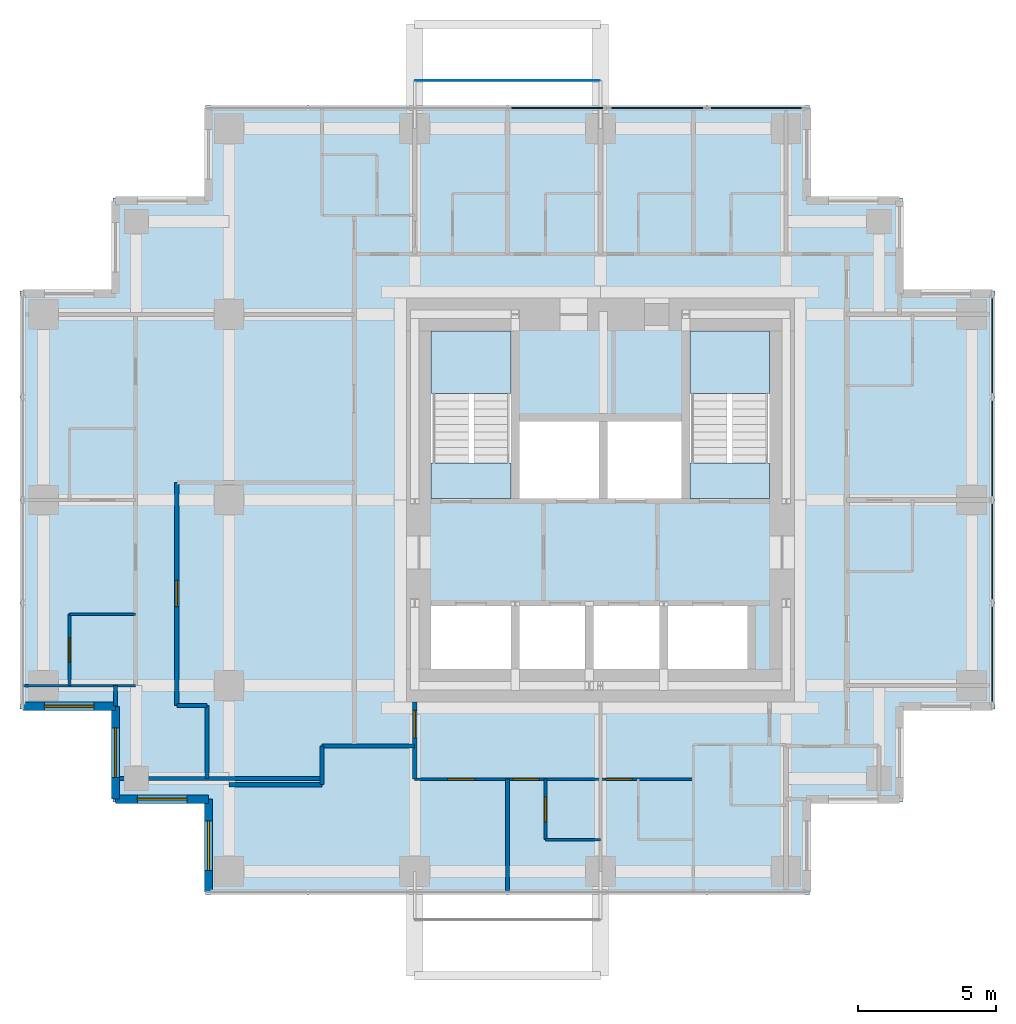
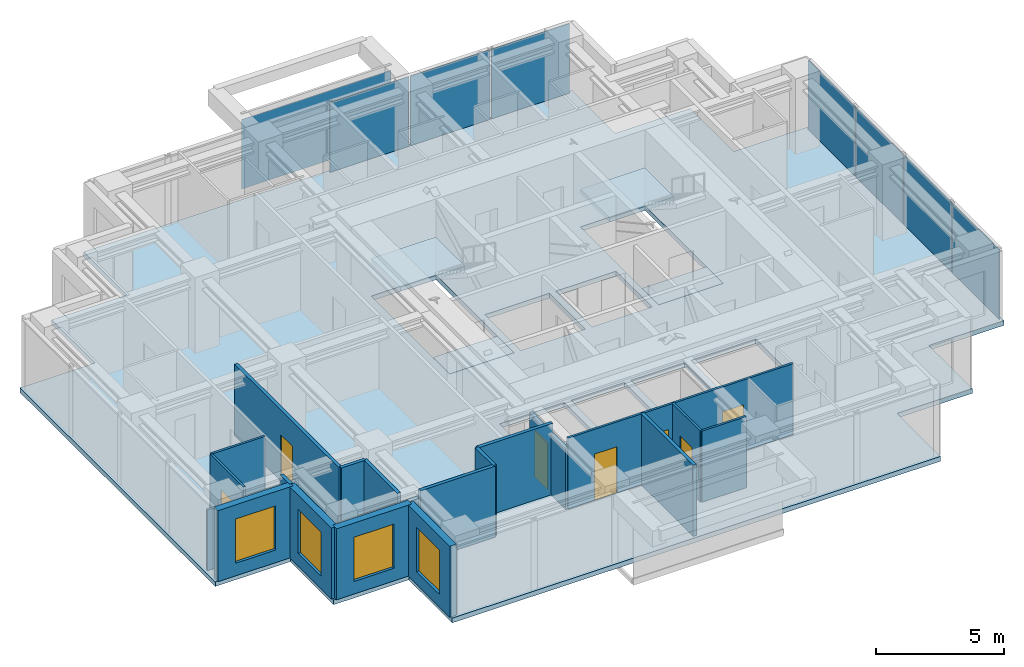
# One storey, part 3 of 8: 20 walls, 8 plates, 7 doors, 5 slabs, 4 windows, 11 openings, 4 elements without a shape of their own.
"""IFC4 building model written with IfcOpenShell, lengths in metres."""

from ifc_helpers import new_model, si_unit, direction, frame, frame_2d, origin, origin_2d, place, context, subcontext, project, spatial, polyline, rectangle, outline, extrude, material, layer, layer_set, type_object, element, fill, aggregate, save


model = new_model("IFC4")

# Units and contexts
model_context = context("Model", 3, precision=1e-05, world=origin(), true_north=direction((0.0, 1.0)))
body_context = subcontext(model_context, "Body", "Model", "MODEL_VIEW")
ifc_project = project(units=[si_unit("LENGTHUNIT", "METRE"), si_unit("AREAUNIT", "SQUARE_METRE"), si_unit("VOLUMEUNIT", "CUBIC_METRE"), si_unit("PLANEANGLEUNIT", "RADIAN"), si_unit("MASSUNIT", "GRAM", prefix="KILO")], contexts=[model_context])

# Site, building, storey
site_placement = place(None, origin())
site = spatial("IfcSite", under=ifc_project, at=site_placement, CompositionType="ELEMENT")
building_placement = place(site_placement, origin())
building = spatial("IfcBuilding", under=site, at=building_placement, Name="Nyansa Garden Tower", CompositionType="ELEMENT")
storey_placement = place(building_placement, frame((0.0, 0.0, 222.300048828125)))
storey = spatial("IfcBuildingStorey", under=building, at=storey_placement, Name="L60", CompositionType="ELEMENT", Elevation=222.300048828125)

# Curtain wall, plates
ifc_material_1 = material(Name="Black anodised aluminium, dark tinted double glazing", Category="aluminium")
curtain_wall_type = type_object("IfcCurtainWallType", Name="Inner skin curtain wall ISW-D", PredefinedType="USERDEFINED", material=ifc_material_1)
curtain_wall_1_placement = place(storey_placement, origin())
curtain_wall_1 = element("IfcCurtainWall", 1, at=curtain_wall_1_placement, inside=storey, type_object=curtain_wall_type, Name="Inner skin curtain wall L60 E", ObjectType="UNITISED CURTAIN WALL", PredefinedType="USERDEFINED")
ifc_material_2 = material(Name="Dark tinted laminated double glazing", Category="glass")
ifc_layer_1 = layer(ifc_material_2, 0.0439453125)
ifc_layer_set_1 = layer_set([ifc_layer_1], Name="Dark tinted vision panel VP-D")
plate_type_1 = type_object("IfcPlateType", Name="Dark tinted vision panel VP-D", PredefinedType="CURTAIN_PANEL", material=ifc_layer_set_1)
plate_1_placement = place(storey_placement, frame((34.5, 14.642578125, 0.0), z_axis=(0.0, 0.0, 1.0), x_axis=(0.0, 1.0, 0.0)))
plate_1 = element("IfcPlate", 2, at=plate_1_placement, type_object=plate_type_1, Name="ISW-D panel 1", PredefinedType="CURTAIN_PANEL", context=body_context, shape_type="SweptSolid", body=[
    extrude(rectangle(XDim=3.64501953125, YDim=0.0439453125, at=origin_2d()), origin(), (0.0, 0.0, 1.0), 3.304931640625),
])
plate_2_placement = place(storey_placement, frame((34.5, 18.375, 0.0), z_axis=(0.0, 0.0, 1.0), x_axis=(0.0, 1.0, 0.0)))
plate_2 = element("IfcPlate", 3, at=plate_2_placement, type_object=plate_type_1, Name="ISW-D panel 2", PredefinedType="CURTAIN_PANEL", context=body_context, shape_type="SweptSolid", body=[
    extrude(rectangle(XDim=3.679931640625, YDim=0.0439453125, at=origin_2d()), origin(), (0.0, 0.0, 1.0), 3.304931640625),
])
plate_3_placement = place(storey_placement, frame((34.5, 22.125, 0.0), z_axis=(0.0, 0.0, 1.0), x_axis=(0.0, 1.0, 0.0)))
plate_3 = element("IfcPlate", 4, at=plate_3_placement, type_object=plate_type_1, Name="ISW-D panel 3", PredefinedType="CURTAIN_PANEL", context=body_context, shape_type="SweptSolid", body=[
    extrude(rectangle(XDim=3.679931640625, YDim=0.0439453125, at=origin_2d()), origin(), (0.0, 0.0, 1.0), 3.304931640625),
])
plate_4_placement = place(storey_placement, frame((34.5, 25.857421875, 0.0), z_axis=(0.0, 0.0, 1.0), x_axis=(0.0, 1.0, 0.0)))
plate_4 = element("IfcPlate", 5, at=plate_4_placement, type_object=plate_type_1, Name="ISW-D panel 4", PredefinedType="CURTAIN_PANEL", context=body_context, shape_type="SweptSolid", body=[
    extrude(rectangle(XDim=3.64501953125, YDim=0.0439453125, at=origin_2d()), origin(), (0.0, 0.0, 1.0), 3.304931640625),
])
aggregate(curtain_wall_1, [plate_1, plate_2, plate_3, plate_4])

curtain_wall_2_placement = place(storey_placement, origin())
curtain_wall_2 = element("IfcCurtainWall", 6, at=curtain_wall_2_placement, inside=storey, type_object=curtain_wall_type, Name="Inner skin curtain wall L60 N", ObjectType="UNITISED CURTAIN WALL", PredefinedType="USERDEFINED")
plate_5_placement = place(storey_placement, frame((25.919921875, 34.5, 0.0), z_axis=(0.0, 0.0, 1.0), x_axis=(-1.0, 0.0, 0.0)))
plate_5 = element("IfcPlate", 7, at=plate_5_placement, type_object=plate_type_1, Name="ISW-D panel 1", PredefinedType="CURTAIN_PANEL", context=body_context, shape_type="SweptSolid", body=[
    extrude(rectangle(XDim=3.52001953125, YDim=0.0439453125, at=origin_2d()), origin(), (0.0, 0.0, 1.0), 3.304931640625),
])
plate_6_placement = place(storey_placement, frame((22.3125, 34.5, 0.0), z_axis=(0.0, 0.0, 1.0), x_axis=(-1.0, 0.0, 0.0)))
plate_6 = element("IfcPlate", 8, at=plate_6_placement, type_object=plate_type_1, Name="ISW-D panel 2", PredefinedType="CURTAIN_PANEL", context=body_context, shape_type="SweptSolid", body=[
    extrude(rectangle(XDim=3.554931640625, YDim=0.0439453125, at=origin_2d()), origin(), (0.0, 0.0, 1.0), 3.304931640625),
])
plate_7_placement = place(storey_placement, frame((18.6875, 34.5, 0.0), z_axis=(0.0, 0.0, 1.0), x_axis=(-1.0, 0.0, 0.0)))
plate_7 = element("IfcPlate", 9, at=plate_7_placement, type_object=plate_type_1, Name="ISW-D panel 3", PredefinedType="CURTAIN_PANEL", context=body_context, shape_type="SweptSolid", body=[
    extrude(rectangle(XDim=3.554931640625, YDim=0.0439453125, at=origin_2d()), origin(), (0.0, 0.0, 1.0), 3.304931640625),
])
aggregate(curtain_wall_2, [plate_5, plate_6, plate_7])

# Slab
ifc_material_3 = material(Name="Concrete C40/50", Category="concrete")
ifc_layer_2 = layer(ifc_material_3, 0.22509765625)
ifc_layer_set_2 = layer_set([ifc_layer_2], Name="Floor slab FS225")
slab_type_1 = type_object("IfcSlabType", Name="Floor slab FS225", PredefinedType="FLOOR", material=ifc_layer_set_2)
slab_1_placement = place(storey_placement, frame((0.0, 0.0, -0.22509765625)))
element("IfcSlab", 10, at=slab_1_placement, inside=storey, type_object=slab_type_1, Name="Floor slab L60", PredefinedType="FLOOR", context=body_context, shape_type="SweptSolid", body=[
    extrude(outline(polyline([(34.60009765625, 12.64990234375), (31.22509765625, 12.64990234375), (31.22509765625, 9.27490234375), (27.85009765625, 9.27490234375), (27.85009765625, 5.89990234375), (5.89990234375, 5.89990234375), (5.89990234375, 9.27490234375), (2.52490234375, 9.27490234375), (2.52490234375, 12.64990234375), (-0.85009765625, 12.64990234375), (-0.85009765625, 27.85009765625), (2.52490234375, 27.85009765625), (2.52490234375, 31.22509765625), (5.89990234375, 31.22509765625), (5.89990234375, 34.60009765625), (27.85009765625, 34.60009765625), (27.85009765625, 31.22509765625), (31.22509765625, 31.22509765625), (31.22509765625, 27.85009765625), (34.60009765625, 27.85009765625), (34.60009765625, 12.64990234375)]), holes=[polyline([(14.10009765625, 14.10009765625), (17.0, 14.10009765625), (17.0, 16.39990234375), (14.10009765625, 16.39990234375), (14.10009765625, 14.10009765625)]), polyline([(17.300048828125, 14.10009765625), (19.699951171875, 14.10009765625), (19.699951171875, 16.39990234375), (17.300048828125, 16.39990234375), (17.300048828125, 14.10009765625)]), polyline([(20.0, 14.10009765625), (22.39990234375, 14.10009765625), (22.39990234375, 16.39990234375), (20.0, 16.39990234375), (20.0, 14.10009765625)]), polyline([(22.699951171875, 14.10009765625), (25.60009765625, 14.10009765625), (25.60009765625, 16.39990234375), (22.699951171875, 16.39990234375), (22.699951171875, 14.10009765625)]), polyline([(17.300048828125, 20.300048828125), (20.199951171875, 20.300048828125), (20.199951171875, 23.10009765625), (17.300048828125, 23.10009765625), (17.300048828125, 20.300048828125)]), polyline([(20.5, 20.300048828125), (23.199951171875, 20.300048828125), (23.199951171875, 23.10009765625), (20.5, 23.10009765625), (20.5, 20.300048828125)]), polyline([(14.10009765625, 20.300048828125), (17.0, 20.300048828125), (17.0, 26.39990234375), (14.10009765625, 26.39990234375), (14.10009765625, 20.300048828125)]), polyline([(23.5, 20.300048828125), (26.39990234375, 20.300048828125), (26.39990234375, 26.39990234375), (23.5, 26.39990234375), (23.5, 20.300048828125)])]), origin(), (0.0, 0.0, 1.0), 0.22509765625),
])

# Plate
ifc_material_4 = material(Name="Dark tinted laminated glass", Category="glass")
ifc_layer_3 = layer(ifc_material_4, 0.02392578125)
ifc_layer_set_3 = layer_set([ifc_layer_3], Name="Outer skin glass panel OS1")
plate_type_2 = type_object("IfcPlateType", Name="Outer skin glass panel OS1", PredefinedType="USERDEFINED", material=ifc_layer_set_3)
plate_8_placement = place(storey_placement, frame((16.875, 35.5, -0.22509765625), z_axis=(0.0, 0.0, 1.0), x_axis=(1.0, 0.0, 0.0)))
element("IfcPlate", 11, at=plate_8_placement, inside=storey, type_object=plate_type_2, Name="Outer skin glass panel L60", ObjectType="OUTER SKIN GLASS", PredefinedType="USERDEFINED", context=body_context, shape_type="SweptSolid", body=[
    extrude(rectangle(XDim=6.7099609375, YDim=0.02392578125, at=origin_2d()), origin(), (0.0, 0.0, 1.0), 3.300048828125),
])

# Stair, slabs
ifc_material_5 = material(Name="Precast concrete C40/50", Category="concrete")
stair_type_1 = type_object("IfcStairType", Name="Stair S1 180x280", PredefinedType="HALF_TURN_STAIR", material=ifc_material_5)
stair_1_placement = place(storey_placement, origin())
stair_1 = element("IfcStair", 12, at=stair_1_placement, inside=storey, type_object=stair_type_1, Name="Stair S1 L60", PredefinedType="HALF_TURN_STAIR")
ifc_material_6 = material(Name="Concrete C40/50", Category="concrete")
ifc_layer_4 = layer(ifc_material_6, 0.199951171875)
ifc_layer_set_4 = layer_set([ifc_layer_4], Name="Stair landing SL200")
slab_type_2 = type_object("IfcSlabType", Name="Stair landing SL200", PredefinedType="LANDING", material=ifc_layer_set_4)
slab_2_placement = place(storey_placement, frame((0.0, 0.0, -0.199951171875)))
slab_2 = element("IfcSlab", 13, at=slab_2_placement, type_object=slab_type_2, Name="S1 landing 1", PredefinedType="LANDING", context=body_context, shape_type="SweptSolid", body=[
    extrude(outline(polyline([(14.10009765625, 20.300048828125), (17.0, 20.300048828125), (17.0, 21.60009765625), (14.10009765625, 21.60009765625), (14.10009765625, 20.300048828125)])), origin(), (0.0, 0.0, 1.0), 0.199951171875),
])
slab_3_placement = place(storey_placement, frame((0.0, 0.0, 1.599853515625)))
slab_3 = element("IfcSlab", 14, at=slab_3_placement, type_object=slab_type_2, Name="S1 landing 2", PredefinedType="LANDING", context=body_context, shape_type="SweptSolid", body=[
    extrude(outline(polyline([(14.10009765625, 24.1201171875), (17.0, 24.1201171875), (17.0, 26.39990234375), (14.10009765625, 26.39990234375), (14.10009765625, 24.1201171875)])), origin(), (0.0, 0.0, 1.0), 0.2001953125),
])
aggregate(stair_1, [slab_2, slab_3])

ifc_material_7 = material(Name="Precast concrete C40/50", Category="concrete")
stair_type_2 = type_object("IfcStairType", Name="Stair S2 180x280", PredefinedType="HALF_TURN_STAIR", material=ifc_material_7)
stair_2_placement = place(storey_placement, origin())
stair_2 = element("IfcStair", 15, at=stair_2_placement, inside=storey, type_object=stair_type_2, Name="Stair S2 L60", PredefinedType="HALF_TURN_STAIR")
slab_4_placement = place(storey_placement, frame((0.0, 0.0, -0.199951171875)))
slab_4 = element("IfcSlab", 16, at=slab_4_placement, type_object=slab_type_2, Name="S2 landing 1", PredefinedType="LANDING", context=body_context, shape_type="SweptSolid", body=[
    extrude(outline(polyline([(23.5, 20.300048828125), (26.39990234375, 20.300048828125), (26.39990234375, 21.60009765625), (23.5, 21.60009765625), (23.5, 20.300048828125)])), origin(), (0.0, 0.0, 1.0), 0.199951171875),
])
slab_5_placement = place(storey_placement, frame((0.0, 0.0, 1.599853515625)))
slab_5 = element("IfcSlab", 17, at=slab_5_placement, type_object=slab_type_2, Name="S2 landing 2", PredefinedType="LANDING", context=body_context, shape_type="SweptSolid", body=[
    extrude(outline(polyline([(23.5, 24.1201171875), (26.39990234375, 24.1201171875), (26.39990234375, 26.39990234375), (23.5, 26.39990234375), (23.5, 24.1201171875)])), origin(), (0.0, 0.0, 1.0), 0.2001953125),
])
aggregate(stair_2, [slab_4, slab_5])

# Walls
ifc_material_8 = material(Name="Blockwork, plastered both sides", Category="masonry")
ifc_layer_5 = layer(ifc_material_8, 0.14990234375)
ifc_layer_set_5 = layer_set([ifc_layer_5], Name="Partition PW150")
wall_type_1 = type_object("IfcWallType", Name="Partition PW150", PredefinedType="PARTITIONING", material=ifc_layer_set_5)
wall_1_placement = place(storey_placement, frame((2.625, 12.76611328125, 0.0), z_axis=(0.0, 0.0, 1.0), x_axis=(0.0, 1.0, 0.0)))
element("IfcWall", 18, at=wall_1_placement, inside=storey, type_object=wall_type_1, Name="Partition", PredefinedType="PARTITIONING", context=body_context, shape_type="SweptSolid", body=[
    extrude(rectangle(XDim=0.73388671875, YDim=0.14990234375, at=frame_2d((0.366943359375, 0.0))), origin(), (0.0, 0.0, 1.0), 3.375),
])
wall_2_placement = place(storey_placement, frame((2.77490234375, 10.125, 0.0), z_axis=(0.0, 0.0, 1.0), x_axis=(1.0, 0.0, 0.0)))
element("IfcWall", 19, at=wall_2_placement, inside=storey, type_object=wall_type_1, Name="Partition", PredefinedType="PARTITIONING", context=body_context, shape_type="SweptSolid", body=[
    extrude(rectangle(XDim=7.35009765625, YDim=0.14990234375, at=frame_2d((3.675048828125, 0.0))), origin(), (0.0, 0.0, 1.0), 2.876953125),
])

# Wall, opening, door
wall_3_placement = place(storey_placement, frame((4.85009765625, 12.77490234375, 0.0), z_axis=(0.0, 0.0, 1.0), x_axis=(0.0, 1.0, 0.0)))
wall_3 = element("IfcWall", 20, at=wall_3_placement, inside=storey, type_object=wall_type_1, Name="Partition", PredefinedType="PARTITIONING", context=body_context, shape_type="SweptSolid", body=[
    extrude(rectangle(XDim=8.112548828125, YDim=0.14990234375, at=frame_2d((4.05615234375, 0.0))), origin(), (0.0, 0.0, 1.0), 3.375),
])
opening_1_placement = place(wall_3_placement, frame((3.60009765625, 0.0, 0.0)))
opening_1 = element("IfcOpeningElement", 21, at=opening_1_placement, cuts=wall_3, Name="Opening D01", PredefinedType="OPENING", context=body_context, shape_type="SweptSolid", body=[
    extrude(rectangle(XDim=0.949951171875, YDim=2.199951171875, at=frame_2d((0.47509765625, 1.10009765625))), frame((0.0, 0.0849609375, 0.0), z_axis=(0.0, -1.0, 0.0), x_axis=(1.0, 0.0, 0.0)), (0.0, 0.0, 1.0), 0.169921875),
])
ifc_material_9 = material(Name="Timber flush door, 30 minute fire resisting", Category="wood")
door_type_1 = type_object("IfcDoorType", Name="Bedroom door D01 950x2200", OperationType="SINGLE_SWING_LEFT", PredefinedType="DOOR", material=ifc_material_9)
door_1_placement = place(opening_1_placement, origin())
door_1 = element("IfcDoor", 22, at=door_1_placement, inside=storey, type_object=door_type_1, Name="Door L60-050", OperationType="SINGLE_SWING_LEFT", OverallHeight=2.199951171875, OverallWidth=0.949951171875, PredefinedType="DOOR", context=body_context, shape_type="SweptSolid", body=[
    extrude(rectangle(XDim=0.949951171875, YDim=2.199951171875, at=frame_2d((0.47509765625, 1.10009765625))), frame((0.0, 0.02490234375, 0.0), z_axis=(0.0, -1.0, 0.0), x_axis=(1.0, 0.0, 0.0)), (0.0, 0.0, 1.0), 0.050048828125),
])
fill(opening_1, door_1)

# Walls
wall_4_placement = place(storey_placement, frame((4.85009765625, 12.77490234375, 0.0), z_axis=(0.0, 0.0, 1.0), x_axis=(1.0, 0.0, 0.0)))
element("IfcWall", 23, at=wall_4_placement, inside=storey, type_object=wall_type_1, Name="Partition", PredefinedType="PARTITIONING", context=body_context, shape_type="SweptSolid", body=[
    extrude(rectangle(XDim=1.099853515625, YDim=0.14990234375, at=frame_2d((0.5498046875, 0.0))), origin(), (0.0, 0.0, 1.0), 3.375),
])
wall_5_placement = place(storey_placement, frame((5.949951171875, 10.125, 0.0), z_axis=(0.0, 0.0, 1.0), x_axis=(0.0, 1.0, 0.0)))
element("IfcWall", 24, at=wall_5_placement, inside=storey, type_object=wall_type_1, Name="Partition", PredefinedType="PARTITIONING", context=body_context, shape_type="SweptSolid", body=[
    extrude(rectangle(XDim=2.64990234375, YDim=0.14990234375, at=frame_2d((1.324951171875, 0.0))), origin(), (0.0, 0.0, 1.0), 3.375),
])
wall_6_placement = place(storey_placement, frame((6.75, 9.89990234375, 0.0), z_axis=(0.0, 0.0, 1.0), x_axis=(1.0, 0.0, 0.0)))
element("IfcWall", 25, at=wall_6_placement, inside=storey, type_object=wall_type_1, Name="Partition", PredefinedType="PARTITIONING", context=body_context, shape_type="SweptSolid", body=[
    extrude(rectangle(XDim=3.375, YDim=0.14990234375, at=frame_2d((1.6875, 0.0))), origin(), (0.0, 0.0, 1.0), 3.375),
])
wall_7_placement = place(storey_placement, frame((10.125, 9.89990234375, 0.0), z_axis=(0.0, 0.0, 1.0), x_axis=(0.0, 1.0, 0.0)))
element("IfcWall", 26, at=wall_7_placement, inside=storey, type_object=wall_type_1, Name="Partition", PredefinedType="PARTITIONING", context=body_context, shape_type="SweptSolid", body=[
    extrude(rectangle(XDim=1.400146484375, YDim=0.14990234375, at=frame_2d((0.7001953125, 0.0))), origin(), (0.0, 0.0, 1.0), 3.375),
])
wall_8_placement = place(storey_placement, frame((10.125, 11.300048828125, 0.0), z_axis=(0.0, 0.0, 1.0), x_axis=(1.0, 0.0, 0.0)))
element("IfcWall", 27, at=wall_8_placement, inside=storey, type_object=wall_type_1, Name="Partition", PredefinedType="PARTITIONING", context=body_context, shape_type="SweptSolid", body=[
    extrude(rectangle(XDim=3.375, YDim=0.14990234375, at=frame_2d((1.6875, 0.0))), origin(), (0.0, 0.0, 1.0), 3.375),
])

# Wall, opening, door
wall_9_placement = place(storey_placement, frame((13.5, 10.10009765625, 0.0), z_axis=(0.0, 0.0, 1.0), x_axis=(0.0, 1.0, 0.0)))
wall_9 = element("IfcWall", 28, at=wall_9_placement, inside=storey, type_object=wall_type_1, Name="Partition", PredefinedType="PARTITIONING", context=body_context, shape_type="SweptSolid", body=[
    extrude(rectangle(XDim=2.7998046875, YDim=0.14990234375, at=frame_2d((1.39990234375, 0.0))), origin(), (0.0, 0.0, 1.0), 2.876953125),
])
opening_2_placement = place(wall_9_placement, frame((1.5, 0.0, 0.0)))
opening_2 = element("IfcOpeningElement", 29, at=opening_2_placement, cuts=wall_9, Name="Opening D03", PredefinedType="OPENING", context=body_context, shape_type="SweptSolid", body=[
    extrude(rectangle(XDim=1.0, YDim=2.199951171875, at=frame_2d((0.5, 1.10009765625))), frame((0.0, 0.0849609375, 0.0), z_axis=(0.0, -1.0, 0.0), x_axis=(1.0, 0.0, 0.0)), (0.0, 0.0, 1.0), 0.169921875),
])
ifc_material_10 = material(Name="Timber flush door, 60 minute fire resisting", Category="wood")
door_type_2 = type_object("IfcDoorType", Name="Cluster entrance door D03 1000x2200", OperationType="SINGLE_SWING_LEFT", PredefinedType="DOOR", material=ifc_material_10)
door_2_placement = place(opening_2_placement, origin())
door_2 = element("IfcDoor", 30, at=door_2_placement, inside=storey, type_object=door_type_2, Name="Door L60-019", OperationType="SINGLE_SWING_LEFT", OverallHeight=2.199951171875, OverallWidth=1.0, PredefinedType="DOOR", context=body_context, shape_type="SweptSolid", body=[
    extrude(rectangle(XDim=1.0, YDim=2.199951171875, at=frame_2d((0.5, 1.10009765625))), frame((0.0, 0.02490234375, 0.0), z_axis=(0.0, -1.0, 0.0), x_axis=(1.0, 0.0, 0.0)), (0.0, 0.0, 1.0), 0.050048828125),
])
fill(opening_2, door_2)

# Wall
wall_10_placement = place(storey_placement, frame((16.875, 6.01611328125, 0.0), z_axis=(0.0, 0.0, 1.0), x_axis=(0.0, 1.0, 0.0)))
element("IfcWall", 31, at=wall_10_placement, inside=storey, type_object=wall_type_1, Name="Partition", PredefinedType="PARTITIONING", context=body_context, shape_type="SweptSolid", body=[
    extrude(rectangle(XDim=4.083984375, YDim=0.14990234375, at=frame_2d((2.0419921875, 0.0))), origin(), (0.0, 0.0, 1.0), 3.375),
])

# Wall, opening, window
ifc_material_11 = material(Name="Turquoise glazed tile on concrete blockwork", Category="masonry")
ifc_layer_6 = layer(ifc_material_11, 0.300048828125)
ifc_layer_set_6 = layer_set([ifc_layer_6], Name="Tiled corner wall TW300")
wall_type_2 = type_object("IfcWallType", Name="Tiled corner wall TW300", PredefinedType="SOLIDWALL", material=ifc_layer_set_6)
wall_11_placement = place(storey_placement, frame((-0.75, 12.75, 0.0), z_axis=(0.0, 0.0, 1.0), x_axis=(1.0, 0.0, 0.0)))
wall_11 = element("IfcWall", 32, at=wall_11_placement, inside=storey, type_object=wall_type_2, Name="Tiled corner wall L60", PredefinedType="SOLIDWALL", context=body_context, shape_type="SweptSolid", body=[
    extrude(rectangle(XDim=3.375, YDim=0.300048828125, at=frame_2d((1.6875, 0.0))), origin(), (0.0, 0.0, 1.0), 3.375),
])
opening_3_placement = place(wall_11_placement, frame((0.78759765625, 0.0, 0.60009765625)))
opening_3 = element("IfcOpeningElement", 33, at=opening_3_placement, cuts=wall_11, Name="Opening W2", PredefinedType="OPENING", context=body_context, shape_type="SweptSolid", body=[
    extrude(rectangle(XDim=1.800048828125, YDim=2.10009765625, at=frame_2d((0.89990234375, 1.050048828125))), frame((0.0, 0.159912109375, 0.0), z_axis=(0.0, -1.0, 0.0), x_axis=(1.0, 0.0, 0.0)), (0.0, 0.0, 1.0), 0.320068359375),
])
ifc_material_12 = material(Name="Black aluminium frame, dark tinted double glazing", Category="aluminium")
window_type = type_object("IfcWindowType", Name="Window W2 1800x2100", PartitioningType="SINGLE_PANEL", PredefinedType="WINDOW", material=ifc_material_12)
window_1_placement = place(opening_3_placement, origin())
window_1 = element("IfcWindow", 34, at=window_1_placement, inside=storey, type_object=window_type, Name="Corner window L60", OverallHeight=2.10009765625, OverallWidth=1.800048828125, PartitioningType="SINGLE_PANEL", PredefinedType="WINDOW", context=body_context, shape_type="SweptSolid", body=[
    extrude(rectangle(XDim=1.800048828125, YDim=2.10009765625, at=frame_2d((0.89990234375, 1.050048828125))), frame((0.0, 0.030029296875, 0.0), z_axis=(0.0, -1.0, 0.0), x_axis=(1.0, 0.0, 0.0)), (0.0, 0.0, 1.0), 0.06005859375),
])
fill(opening_3, window_1)

wall_12_placement = place(storey_placement, frame((2.625, 12.75, 0.0), z_axis=(0.0, 0.0, 1.0), x_axis=(0.0, -1.0, 0.0)))
wall_12 = element("IfcWall", 35, at=wall_12_placement, inside=storey, type_object=wall_type_2, Name="Tiled corner wall L60", PredefinedType="SOLIDWALL", context=body_context, shape_type="SweptSolid", body=[
    extrude(rectangle(XDim=3.375, YDim=0.300048828125, at=frame_2d((1.6875, 0.0))), origin(), (0.0, 0.0, 1.0), 3.375),
])
opening_4_placement = place(wall_12_placement, frame((0.78759765625, 0.0, 0.60009765625)))
opening_4 = element("IfcOpeningElement", 36, at=opening_4_placement, cuts=wall_12, Name="Opening W2", PredefinedType="OPENING", context=body_context, shape_type="SweptSolid", body=[
    extrude(rectangle(XDim=1.800048828125, YDim=2.10009765625, at=frame_2d((0.89990234375, 1.050048828125))), frame((0.0, 0.159912109375, 0.0), z_axis=(0.0, -1.0, 0.0), x_axis=(1.0, 0.0, 0.0)), (0.0, 0.0, 1.0), 0.320068359375),
])
window_2_placement = place(opening_4_placement, origin())
window_2 = element("IfcWindow", 37, at=window_2_placement, inside=storey, type_object=window_type, Name="Corner window L60", OverallHeight=2.10009765625, OverallWidth=1.800048828125, PartitioningType="SINGLE_PANEL", PredefinedType="WINDOW", context=body_context, shape_type="SweptSolid", body=[
    extrude(rectangle(XDim=1.800048828125, YDim=2.10009765625, at=frame_2d((0.89990234375, 1.050048828125))), frame((0.0, 0.030029296875, 0.0), z_axis=(0.0, -1.0, 0.0), x_axis=(1.0, 0.0, 0.0)), (0.0, 0.0, 1.0), 0.06005859375),
])
fill(opening_4, window_2)

wall_13_placement = place(storey_placement, frame((2.625, 9.375, 0.0), z_axis=(0.0, 0.0, 1.0), x_axis=(1.0, 0.0, 0.0)))
wall_13 = element("IfcWall", 38, at=wall_13_placement, inside=storey, type_object=wall_type_2, Name="Tiled corner wall L60", PredefinedType="SOLIDWALL", context=body_context, shape_type="SweptSolid", body=[
    extrude(rectangle(XDim=3.375, YDim=0.300048828125, at=frame_2d((1.6875, 0.0))), origin(), (0.0, 0.0, 1.0), 3.375),
])
opening_5_placement = place(wall_13_placement, frame((0.78759765625, 0.0, 0.60009765625)))
opening_5 = element("IfcOpeningElement", 39, at=opening_5_placement, cuts=wall_13, Name="Opening W2", PredefinedType="OPENING", context=body_context, shape_type="SweptSolid", body=[
    extrude(rectangle(XDim=1.800048828125, YDim=2.10009765625, at=frame_2d((0.89990234375, 1.050048828125))), frame((0.0, 0.159912109375, 0.0), z_axis=(0.0, -1.0, 0.0), x_axis=(1.0, 0.0, 0.0)), (0.0, 0.0, 1.0), 0.320068359375),
])
window_3_placement = place(opening_5_placement, origin())
window_3 = element("IfcWindow", 40, at=window_3_placement, inside=storey, type_object=window_type, Name="Corner window L60", OverallHeight=2.10009765625, OverallWidth=1.800048828125, PartitioningType="SINGLE_PANEL", PredefinedType="WINDOW", context=body_context, shape_type="SweptSolid", body=[
    extrude(rectangle(XDim=1.800048828125, YDim=2.10009765625, at=frame_2d((0.89990234375, 1.050048828125))), frame((0.0, 0.030029296875, 0.0), z_axis=(0.0, -1.0, 0.0), x_axis=(1.0, 0.0, 0.0)), (0.0, 0.0, 1.0), 0.06005859375),
])
fill(opening_5, window_3)

wall_14_placement = place(storey_placement, frame((6.0, 9.375, 0.0), z_axis=(0.0, 0.0, 1.0), x_axis=(0.0, -1.0, 0.0)))
wall_14 = element("IfcWall", 41, at=wall_14_placement, inside=storey, type_object=wall_type_2, Name="Tiled corner wall L60", PredefinedType="SOLIDWALL", context=body_context, shape_type="SweptSolid", body=[
    extrude(rectangle(XDim=3.375, YDim=0.300048828125, at=frame_2d((1.6875, 0.0))), origin(), (0.0, 0.0, 1.0), 3.375),
])
opening_6_placement = place(wall_14_placement, frame((0.78759765625, 0.0, 0.60009765625)))
opening_6 = element("IfcOpeningElement", 42, at=opening_6_placement, cuts=wall_14, Name="Opening W2", PredefinedType="OPENING", context=body_context, shape_type="SweptSolid", body=[
    extrude(rectangle(XDim=1.800048828125, YDim=2.10009765625, at=frame_2d((0.89990234375, 1.050048828125))), frame((0.0, 0.159912109375, 0.0), z_axis=(0.0, -1.0, 0.0), x_axis=(1.0, 0.0, 0.0)), (0.0, 0.0, 1.0), 0.320068359375),
])
window_4_placement = place(opening_6_placement, origin())
window_4 = element("IfcWindow", 43, at=window_4_placement, inside=storey, type_object=window_type, Name="Corner window L60", OverallHeight=2.10009765625, OverallWidth=1.800048828125, PartitioningType="SINGLE_PANEL", PredefinedType="WINDOW", context=body_context, shape_type="SweptSolid", body=[
    extrude(rectangle(XDim=1.800048828125, YDim=2.10009765625, at=frame_2d((0.89990234375, 1.050048828125))), frame((0.0, 0.030029296875, 0.0), z_axis=(0.0, -1.0, 0.0), x_axis=(1.0, 0.0, 0.0)), (0.0, 0.0, 1.0), 0.06005859375),
])
fill(opening_6, window_4)

# Wall
ifc_material_13 = material(Name="Moisture resistant board on steel studs, tiled", Category="steel")
ifc_layer_7 = layer(ifc_material_13, 0.10009765625)
ifc_layer_set_7 = layer_set([ifc_layer_7], Name="Wet wall PW100")
wall_type_3 = type_object("IfcWallType", Name="Wet wall PW100", PredefinedType="PARTITIONING", material=ifc_layer_set_7)
wall_15_placement = place(storey_placement, frame((-0.73388671875, 13.5, 0.0), z_axis=(0.0, 0.0, 1.0), x_axis=(1.0, 0.0, 0.0)))
element("IfcWall", 44, at=wall_15_placement, inside=storey, type_object=wall_type_3, Name="Wet wall", PredefinedType="PARTITIONING", context=body_context, shape_type="SweptSolid", body=[
    extrude(rectangle(XDim=4.083984375, YDim=0.10009765625, at=frame_2d((2.0419921875, 0.0))), origin(), (0.0, 0.0, 1.0), 2.876953125),
])

# Wall, opening, door
wall_16_placement = place(storey_placement, frame((0.949951171875, 13.5, 0.0), z_axis=(0.0, 0.0, 1.0), x_axis=(0.0, 1.0, 0.0)))
wall_16 = element("IfcWall", 45, at=wall_16_placement, inside=storey, type_object=wall_type_3, Name="Wet wall", PredefinedType="PARTITIONING", context=body_context, shape_type="SweptSolid", body=[
    extrude(rectangle(XDim=2.60009765625, YDim=0.10009765625, at=frame_2d((1.300048828125, 0.0))), origin(), (0.0, 0.0, 1.0), 3.375),
])
opening_7_placement = place(wall_16_placement, frame((0.85009765625, 0.0, 0.0)))
opening_7 = element("IfcOpeningElement", 46, at=opening_7_placement, cuts=wall_16, Name="Opening D02", PredefinedType="OPENING", context=body_context, shape_type="SweptSolid", body=[
    extrude(rectangle(XDim=0.89990234375, YDim=2.199951171875, at=frame_2d((0.449951171875, 1.10009765625))), frame((0.0, 0.06005859375, 0.0), z_axis=(0.0, -1.0, 0.0), x_axis=(1.0, 0.0, 0.0)), (0.0, 0.0, 1.0), 0.1201171875),
])
ifc_material_14 = material(Name="Timber flush door", Category="wood")
door_type_3 = type_object("IfcDoorType", Name="En-suite door D02 900x2200", OperationType="SINGLE_SWING_RIGHT", PredefinedType="DOOR", material=ifc_material_14)
door_3_placement = place(opening_7_placement, origin())
door_3 = element("IfcDoor", 47, at=door_3_placement, inside=storey, type_object=door_type_3, Name="Door L60-046", OperationType="SINGLE_SWING_RIGHT", OverallHeight=2.199951171875, OverallWidth=0.89990234375, PredefinedType="DOOR", context=body_context, shape_type="SweptSolid", body=[
    extrude(rectangle(XDim=0.89990234375, YDim=2.199951171875, at=frame_2d((0.449951171875, 1.10009765625))), frame((0.0, 0.02490234375, 0.0), z_axis=(0.0, -1.0, 0.0), x_axis=(1.0, 0.0, 0.0)), (0.0, 0.0, 1.0), 0.050048828125),
])
fill(opening_7, door_3)

# Wall
wall_17_placement = place(storey_placement, frame((0.949951171875, 16.10009765625, 0.0), z_axis=(0.0, 0.0, 1.0), x_axis=(1.0, 0.0, 0.0)))
element("IfcWall", 48, at=wall_17_placement, inside=storey, type_object=wall_type_3, Name="Wet wall", PredefinedType="PARTITIONING", context=body_context, shape_type="SweptSolid", body=[
    extrude(rectangle(XDim=2.400146484375, YDim=0.10009765625, at=frame_2d((1.2001953125, 0.0))), origin(), (0.0, 0.0, 1.0), 3.375),
])

# Wall, openings, doors
wall_18_placement = place(storey_placement, frame((13.5, 10.10009765625, 0.0), z_axis=(0.0, 0.0, 1.0), x_axis=(1.0, 0.0, 0.0)))
wall_18 = element("IfcWall", 49, at=wall_18_placement, inside=storey, type_object=wall_type_3, Name="Wet wall", PredefinedType="PARTITIONING", context=body_context, shape_type="SweptSolid", body=[
    extrude(rectangle(XDim=10.125, YDim=0.10009765625, at=frame_2d((5.0625, 0.0))), origin(), (0.0, 0.0, 1.0), 3.375),
])
opening_8_placement = place(wall_18_placement, frame((1.199951171875, 0.0, 0.0)))
opening_8 = element("IfcOpeningElement", 50, at=opening_8_placement, cuts=wall_18, Name="Opening D03", PredefinedType="OPENING", context=body_context, shape_type="SweptSolid", body=[
    extrude(rectangle(XDim=1.0, YDim=2.199951171875, at=frame_2d((0.5, 1.10009765625))), frame((0.0, 0.06005859375, 0.0), z_axis=(0.0, -1.0, 0.0), x_axis=(1.0, 0.0, 0.0)), (0.0, 0.0, 1.0), 0.1201171875),
])
opening_9_placement = place(wall_18_placement, frame((3.574951171875, 0.0, 0.0)))
opening_9 = element("IfcOpeningElement", 51, at=opening_9_placement, cuts=wall_18, Name="Opening D01", PredefinedType="OPENING", context=body_context, shape_type="SweptSolid", body=[
    extrude(rectangle(XDim=0.949951171875, YDim=2.199951171875, at=frame_2d((0.47509765625, 1.10009765625))), frame((0.0, 0.06005859375, 0.0), z_axis=(0.0, -1.0, 0.0), x_axis=(1.0, 0.0, 0.0)), (0.0, 0.0, 1.0), 0.1201171875),
])
opening_10_placement = place(wall_18_placement, frame((6.949951171875, 0.0, 0.0)))
opening_10 = element("IfcOpeningElement", 52, at=opening_10_placement, cuts=wall_18, Name="Opening D14", PredefinedType="OPENING", context=body_context, shape_type="SweptSolid", body=[
    extrude(rectangle(XDim=0.949951171875, YDim=2.199951171875, at=frame_2d((0.47509765625, 1.10009765625))), frame((0.0, 0.06005859375, 0.0), z_axis=(0.0, -1.0, 0.0), x_axis=(1.0, 0.0, 0.0)), (0.0, 0.0, 1.0), 0.1201171875),
])
door_4_placement = place(opening_9_placement, origin())
door_4 = element("IfcDoor", 53, at=door_4_placement, inside=storey, type_object=door_type_1, Name="Door L60-017", OperationType="SINGLE_SWING_LEFT", OverallHeight=2.199951171875, OverallWidth=0.949951171875, PredefinedType="DOOR", context=body_context, shape_type="SweptSolid", body=[
    extrude(rectangle(XDim=0.949951171875, YDim=2.199951171875, at=frame_2d((0.47509765625, 1.10009765625))), frame((0.0, 0.02490234375, 0.0), z_axis=(0.0, -1.0, 0.0), x_axis=(1.0, 0.0, 0.0)), (0.0, 0.0, 1.0), 0.050048828125),
])
fill(opening_9, door_4)
door_5_placement = place(opening_8_placement, origin())
door_5 = element("IfcDoor", 54, at=door_5_placement, inside=storey, type_object=door_type_2, Name="Door L60-016", OperationType="SINGLE_SWING_LEFT", OverallHeight=2.199951171875, OverallWidth=1.0, PredefinedType="DOOR", context=body_context, shape_type="SweptSolid", body=[
    extrude(rectangle(XDim=1.0, YDim=2.199951171875, at=frame_2d((0.5, 1.10009765625))), frame((0.0, 0.02490234375, 0.0), z_axis=(0.0, -1.0, 0.0), x_axis=(1.0, 0.0, 0.0)), (0.0, 0.0, 1.0), 0.050048828125),
])
fill(opening_8, door_5)
ifc_material_15 = material(Name="Timber flush door, 60 minute fire resisting, self-closing", Category="wood")
door_type_4 = type_object("IfcDoorType", Name="Studio entrance door D14 950x2200", OperationType="SINGLE_SWING_LEFT", PredefinedType="DOOR", material=ifc_material_15)
door_6_placement = place(opening_10_placement, origin())
door_6 = element("IfcDoor", 55, at=door_6_placement, inside=storey, type_object=door_type_4, Name="Door L60-020", OperationType="SINGLE_SWING_LEFT", OverallHeight=2.199951171875, OverallWidth=0.949951171875, PredefinedType="DOOR", context=body_context, shape_type="SweptSolid", body=[
    extrude(rectangle(XDim=0.949951171875, YDim=2.199951171875, at=frame_2d((0.47509765625, 1.10009765625))), frame((0.0, 0.02490234375, 0.0), z_axis=(0.0, -1.0, 0.0), x_axis=(1.0, 0.0, 0.0)), (0.0, 0.0, 1.0), 0.050048828125),
])
fill(opening_10, door_6)

# Wall, opening, door
wall_19_placement = place(storey_placement, frame((18.25, 7.89990234375, 0.0), z_axis=(0.0, 0.0, 1.0), x_axis=(0.0, 1.0, 0.0)))
wall_19 = element("IfcWall", 56, at=wall_19_placement, inside=storey, type_object=wall_type_3, Name="Wet wall", PredefinedType="PARTITIONING", context=body_context, shape_type="SweptSolid", body=[
    extrude(rectangle(XDim=2.2001953125, YDim=0.10009765625, at=frame_2d((1.10009765625, 0.0))), origin(), (0.0, 0.0, 1.0), 3.375),
])
opening_11_placement = place(wall_19_placement, frame((0.64990234375, 0.0, 0.0)))
opening_11 = element("IfcOpeningElement", 57, at=opening_11_placement, cuts=wall_19, Name="Opening D02", PredefinedType="OPENING", context=body_context, shape_type="SweptSolid", body=[
    extrude(rectangle(XDim=0.89990234375, YDim=2.199951171875, at=frame_2d((0.449951171875, 1.10009765625))), frame((0.0, 0.06005859375, 0.0), z_axis=(0.0, -1.0, 0.0), x_axis=(1.0, 0.0, 0.0)), (0.0, 0.0, 1.0), 0.1201171875),
])
door_7_placement = place(opening_11_placement, origin())
door_7 = element("IfcDoor", 58, at=door_7_placement, inside=storey, type_object=door_type_3, Name="Door L60-018", OperationType="SINGLE_SWING_RIGHT", OverallHeight=2.199951171875, OverallWidth=0.89990234375, PredefinedType="DOOR", context=body_context, shape_type="SweptSolid", body=[
    extrude(rectangle(XDim=0.89990234375, YDim=2.199951171875, at=frame_2d((0.449951171875, 1.10009765625))), frame((0.0, 0.02490234375, 0.0), z_axis=(0.0, -1.0, 0.0), x_axis=(1.0, 0.0, 0.0)), (0.0, 0.0, 1.0), 0.050048828125),
])
fill(opening_11, door_7)

# Wall
wall_20_placement = place(storey_placement, frame((18.25, 7.89990234375, 0.0), z_axis=(0.0, 0.0, 1.0), x_axis=(1.0, 0.0, 0.0)))
element("IfcWall", 59, at=wall_20_placement, inside=storey, type_object=wall_type_3, Name="Wet wall", PredefinedType="PARTITIONING", context=body_context, shape_type="SweptSolid", body=[
    extrude(rectangle(XDim=2.0, YDim=0.10009765625, at=frame_2d((1.0, 0.0))), origin(), (0.0, 0.0, 1.0), 3.375),
])

save(model, "model.ifc")
